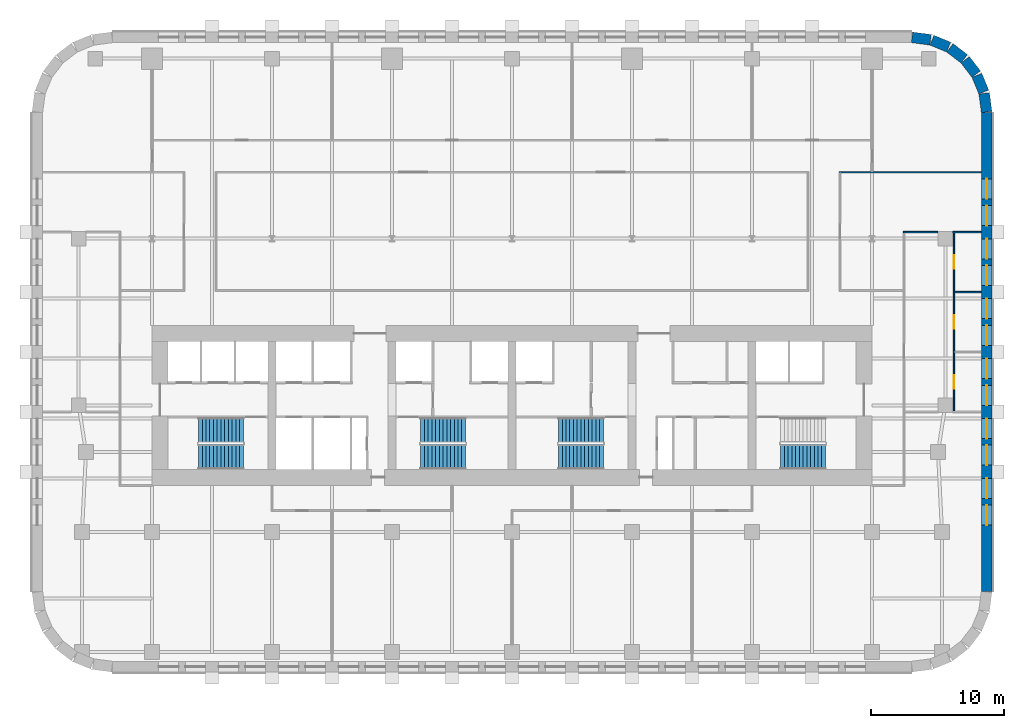
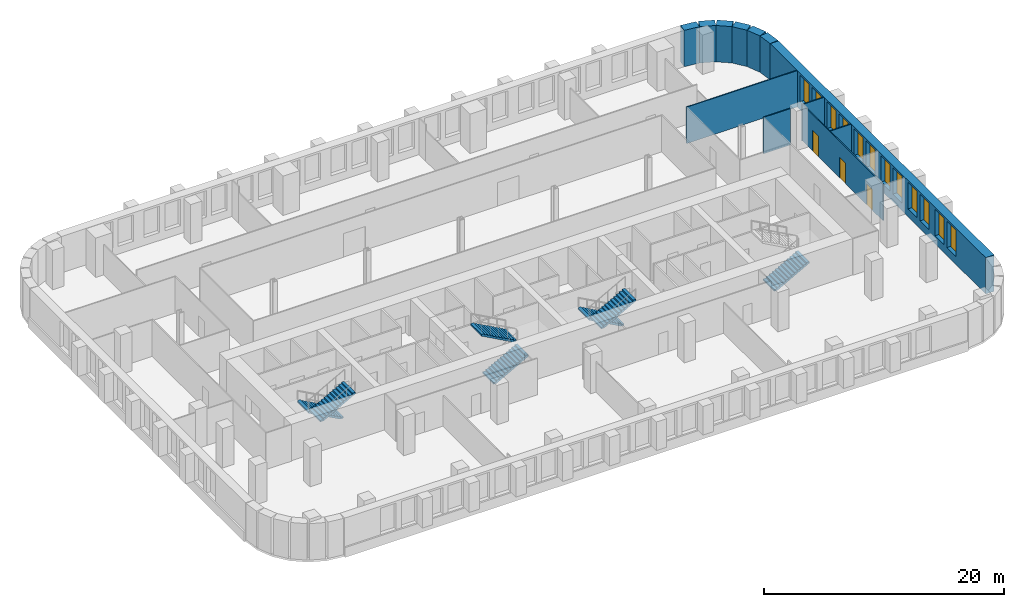
# One storey, part 9 of 12: 12 walls, 12 windows, 7 stair flights, 3 doors, 15 openings, 4 elements without a shape of their own.
"""IFC4 building model written with IfcOpenShell, lengths in metres."""

from ifc_helpers import new_model, si_unit, direction, frame, frame_2d, origin, place, context, subcontext, project, spatial, polyline, rectangle, outline, extrude, material, layer, layer_set, type_object, element, fill, aggregate, save


model = new_model("IFC4")

# Units and contexts
model_context = context("Model", 3, precision=1e-05, world=origin(), true_north=direction((0.0, 1.0)))
body_context = subcontext(model_context, "Body", "Model", "MODEL_VIEW")
ifc_project = project(units=[si_unit("LENGTHUNIT", "METRE"), si_unit("AREAUNIT", "SQUARE_METRE"), si_unit("VOLUMEUNIT", "CUBIC_METRE"), si_unit("PLANEANGLEUNIT", "RADIAN"), si_unit("MASSUNIT", "GRAM", prefix="KILO")], contexts=[model_context])

# Site, building, storey
site_placement = place(None, origin())
site = spatial("IfcSite", under=ifc_project, at=site_placement, CompositionType="ELEMENT")
building_placement = place(site_placement, origin())
building = spatial("IfcBuilding", under=site, at=building_placement, Name="Zellij Exchange Tower", CompositionType="ELEMENT")
storey_placement = place(building_placement, frame((0.0, 0.0, 96.5)))
storey = spatial("IfcBuildingStorey", under=building, at=storey_placement, Name="L20", CompositionType="ELEMENT", Elevation=96.5)

# Wall, openings, windows
ifc_material_1 = material(Name="Precast concrete C40/50", Category="concrete")
ifc_layer_1 = layer(ifc_material_1, 0.800048828125)
ifc_layer_set_1 = layer_set([ifc_layer_1], Name="Precast concrete C40/50")
wall_type_1 = type_object("IfcWallType", Name="ENV-EW1 Precast stone-piered wall 800", PredefinedType="SOLIDWALL", material=ifc_layer_set_1)
wall_1_placement = place(storey_placement, frame((35.60009765625, -21.947509765625, 0.0), z_axis=(0.0, 0.0, 1.0), x_axis=(0.0, 1.0, 0.0)))
wall_1 = element("IfcWall", 1, at=wall_1_placement, inside=storey, type_object=wall_type_1, Name="fac.L20.07", PredefinedType="SOLIDWALL", context=body_context, shape_type="SweptSolid", body=[
    extrude(rectangle(XDim=35.89501953125, YDim=0.800048828125, at=frame_2d((17.947509765625, 0.0))), origin(), (0.0, 0.0, 1.0), 3.699951171875),
])
opening_1_placement = place(wall_1_placement, frame((4.9638671875, 0.0, 0.800048828125)))
opening_1 = element("IfcOpeningElement", 2, at=opening_1_placement, cuts=wall_1, Name="Opening FZ1.25", PredefinedType="OPENING", context=body_context, shape_type="SweptSolid", body=[
    extrude(rectangle(XDim=1.5, YDim=2.699951171875, at=frame_2d((0.75, 1.35009765625))), frame((0.0, 0.412109375, 0.0), z_axis=(0.0, -1.0, 0.0), x_axis=(1.0, 0.0, 0.0)), (0.0, 0.0, 1.0), 0.823974609375),
])
opening_2_placement = place(wall_1_placement, frame((6.9638671875, 0.0, 0.800048828125)))
opening_2 = element("IfcOpeningElement", 3, at=opening_2_placement, cuts=wall_1, Name="Opening FZ1.26", PredefinedType="OPENING", context=body_context, shape_type="SweptSolid", body=[
    extrude(rectangle(XDim=1.5, YDim=2.699951171875, at=frame_2d((0.75, 1.35009765625))), frame((0.0, 0.412109375, 0.0), z_axis=(0.0, -1.0, 0.0), x_axis=(1.0, 0.0, 0.0)), (0.0, 0.0, 1.0), 0.823974609375),
])
opening_3_placement = place(wall_1_placement, frame((9.45751953125, 0.0, 0.800048828125)))
opening_3 = element("IfcOpeningElement", 4, at=opening_3_placement, cuts=wall_1, Name="Opening FZ1.27", PredefinedType="OPENING", context=body_context, shape_type="SweptSolid", body=[
    extrude(rectangle(XDim=1.5, YDim=2.699951171875, at=frame_2d((0.75, 1.35009765625))), frame((0.0, 0.412109375, 0.0), z_axis=(0.0, -1.0, 0.0), x_axis=(1.0, 0.0, 0.0)), (0.0, 0.0, 1.0), 0.823974609375),
])
opening_4_placement = place(wall_1_placement, frame((11.45751953125, 0.0, 0.800048828125)))
opening_4 = element("IfcOpeningElement", 5, at=opening_4_placement, cuts=wall_1, Name="Opening FZ1.28", PredefinedType="OPENING", context=body_context, shape_type="SweptSolid", body=[
    extrude(rectangle(XDim=1.5, YDim=2.699951171875, at=frame_2d((0.75, 1.35009765625))), frame((0.0, 0.412109375, 0.0), z_axis=(0.0, -1.0, 0.0), x_axis=(1.0, 0.0, 0.0)), (0.0, 0.0, 1.0), 0.823974609375),
])
opening_5_placement = place(wall_1_placement, frame((13.950927734375, 0.0, 0.800048828125)))
opening_5 = element("IfcOpeningElement", 6, at=opening_5_placement, cuts=wall_1, Name="Opening FZ1.29", PredefinedType="OPENING", context=body_context, shape_type="SweptSolid", body=[
    extrude(rectangle(XDim=1.5, YDim=2.699951171875, at=frame_2d((0.75, 1.35009765625))), frame((0.0, 0.412109375, 0.0), z_axis=(0.0, -1.0, 0.0), x_axis=(1.0, 0.0, 0.0)), (0.0, 0.0, 1.0), 0.823974609375),
])
opening_6_placement = place(wall_1_placement, frame((15.95068359375, 0.0, 0.800048828125)))
opening_6 = element("IfcOpeningElement", 7, at=opening_6_placement, cuts=wall_1, Name="Opening FZ1.30", PredefinedType="OPENING", context=body_context, shape_type="SweptSolid", body=[
    extrude(rectangle(XDim=1.5, YDim=2.699951171875, at=frame_2d((0.75, 1.35009765625))), frame((0.0, 0.412109375, 0.0), z_axis=(0.0, -1.0, 0.0), x_axis=(1.0, 0.0, 0.0)), (0.0, 0.0, 1.0), 0.823974609375),
])
opening_7_placement = place(wall_1_placement, frame((18.4443359375, 0.0, 0.800048828125)))
opening_7 = element("IfcOpeningElement", 8, at=opening_7_placement, cuts=wall_1, Name="Opening FZ1.31", PredefinedType="OPENING", context=body_context, shape_type="SweptSolid", body=[
    extrude(rectangle(XDim=1.5, YDim=2.699951171875, at=frame_2d((0.75, 1.35009765625))), frame((0.0, 0.412109375, 0.0), z_axis=(0.0, -1.0, 0.0), x_axis=(1.0, 0.0, 0.0)), (0.0, 0.0, 1.0), 0.823974609375),
])
opening_8_placement = place(wall_1_placement, frame((20.4443359375, 0.0, 0.800048828125)))
opening_8 = element("IfcOpeningElement", 9, at=opening_8_placement, cuts=wall_1, Name="Opening FZ1.32", PredefinedType="OPENING", context=body_context, shape_type="SweptSolid", body=[
    extrude(rectangle(XDim=1.5, YDim=2.699951171875, at=frame_2d((0.75, 1.35009765625))), frame((0.0, 0.412109375, 0.0), z_axis=(0.0, -1.0, 0.0), x_axis=(1.0, 0.0, 0.0)), (0.0, 0.0, 1.0), 0.823974609375),
])
opening_9_placement = place(wall_1_placement, frame((22.937744140625, 0.0, 0.800048828125)))
opening_9 = element("IfcOpeningElement", 10, at=opening_9_placement, cuts=wall_1, Name="Opening FZ1.33", PredefinedType="OPENING", context=body_context, shape_type="SweptSolid", body=[
    extrude(rectangle(XDim=1.5, YDim=2.699951171875, at=frame_2d((0.75, 1.35009765625))), frame((0.0, 0.412109375, 0.0), z_axis=(0.0, -1.0, 0.0), x_axis=(1.0, 0.0, 0.0)), (0.0, 0.0, 1.0), 0.823974609375),
])
opening_10_placement = place(wall_1_placement, frame((24.937744140625, 0.0, 0.800048828125)))
opening_10 = element("IfcOpeningElement", 11, at=opening_10_placement, cuts=wall_1, Name="Opening FZ1.34", PredefinedType="OPENING", context=body_context, shape_type="SweptSolid", body=[
    extrude(rectangle(XDim=1.5, YDim=2.699951171875, at=frame_2d((0.75, 1.35009765625))), frame((0.0, 0.412109375, 0.0), z_axis=(0.0, -1.0, 0.0), x_axis=(1.0, 0.0, 0.0)), (0.0, 0.0, 1.0), 0.823974609375),
])
opening_11_placement = place(wall_1_placement, frame((27.43115234375, 0.0, 0.800048828125)))
opening_11 = element("IfcOpeningElement", 12, at=opening_11_placement, cuts=wall_1, Name="Opening FZ1.35", PredefinedType="OPENING", context=body_context, shape_type="SweptSolid", body=[
    extrude(rectangle(XDim=1.5, YDim=2.699951171875, at=frame_2d((0.75, 1.35009765625))), frame((0.0, 0.412109375, 0.0), z_axis=(0.0, -1.0, 0.0), x_axis=(1.0, 0.0, 0.0)), (0.0, 0.0, 1.0), 0.823974609375),
])
opening_12_placement = place(wall_1_placement, frame((29.43115234375, 0.0, 0.800048828125)))
opening_12 = element("IfcOpeningElement", 13, at=opening_12_placement, cuts=wall_1, Name="Opening FZ1.36", PredefinedType="OPENING", context=body_context, shape_type="SweptSolid", body=[
    extrude(rectangle(XDim=1.5, YDim=2.699951171875, at=frame_2d((0.75, 1.35009765625))), frame((0.0, 0.412109375, 0.0), z_axis=(0.0, -1.0, 0.0), x_axis=(1.0, 0.0, 0.0)), (0.0, 0.0, 1.0), 0.823974609375),
])
ifc_material_2 = material(Name="Aluminium frame with insulating glass", Category="aluminium")
window_type = type_object("IfcWindowType", Name="ENV-W6 Window 1500x2700", PartitioningType="SINGLE_PANEL", PredefinedType="WINDOW", material=ifc_material_2)
window_1_placement = place(opening_1_placement, origin())
window_1 = element("IfcWindow", 14, at=window_1_placement, inside=storey, type_object=window_type, Name="Window FZ1.25", OverallHeight=2.699951171875, OverallWidth=1.5, PartitioningType="SINGLE_PANEL", PredefinedType="WINDOW", context=body_context, shape_type="SweptSolid", body=[
    extrude(rectangle(XDim=1.5, YDim=2.699951171875, at=frame_2d((0.75, 1.35009765625))), frame((0.0, 0.030029296875, 0.0), z_axis=(0.0, -1.0, 0.0), x_axis=(1.0, 0.0, 0.0)), (0.0, 0.0, 1.0), 0.06005859375),
])
fill(opening_1, window_1)
window_2_placement = place(opening_2_placement, origin())
window_2 = element("IfcWindow", 15, at=window_2_placement, inside=storey, type_object=window_type, Name="Window FZ1.26", OverallHeight=2.699951171875, OverallWidth=1.5, PartitioningType="SINGLE_PANEL", PredefinedType="WINDOW", context=body_context, shape_type="SweptSolid", body=[
    extrude(rectangle(XDim=1.5, YDim=2.699951171875, at=frame_2d((0.75, 1.35009765625))), frame((0.0, 0.030029296875, 0.0), z_axis=(0.0, -1.0, 0.0), x_axis=(1.0, 0.0, 0.0)), (0.0, 0.0, 1.0), 0.06005859375),
])
fill(opening_2, window_2)
window_3_placement = place(opening_3_placement, origin())
window_3 = element("IfcWindow", 16, at=window_3_placement, inside=storey, type_object=window_type, Name="Window FZ1.27", OverallHeight=2.699951171875, OverallWidth=1.5, PartitioningType="SINGLE_PANEL", PredefinedType="WINDOW", context=body_context, shape_type="SweptSolid", body=[
    extrude(rectangle(XDim=1.5, YDim=2.699951171875, at=frame_2d((0.75, 1.35009765625))), frame((0.0, 0.030029296875, 0.0), z_axis=(0.0, -1.0, 0.0), x_axis=(1.0, 0.0, 0.0)), (0.0, 0.0, 1.0), 0.06005859375),
])
fill(opening_3, window_3)
window_4_placement = place(opening_4_placement, origin())
window_4 = element("IfcWindow", 17, at=window_4_placement, inside=storey, type_object=window_type, Name="Window FZ1.28", OverallHeight=2.699951171875, OverallWidth=1.5, PartitioningType="SINGLE_PANEL", PredefinedType="WINDOW", context=body_context, shape_type="SweptSolid", body=[
    extrude(rectangle(XDim=1.5, YDim=2.699951171875, at=frame_2d((0.75, 1.35009765625))), frame((0.0, 0.030029296875, 0.0), z_axis=(0.0, -1.0, 0.0), x_axis=(1.0, 0.0, 0.0)), (0.0, 0.0, 1.0), 0.06005859375),
])
fill(opening_4, window_4)
window_5_placement = place(opening_5_placement, origin())
window_5 = element("IfcWindow", 18, at=window_5_placement, inside=storey, type_object=window_type, Name="Window FZ1.29", OverallHeight=2.699951171875, OverallWidth=1.5, PartitioningType="SINGLE_PANEL", PredefinedType="WINDOW", context=body_context, shape_type="SweptSolid", body=[
    extrude(rectangle(XDim=1.5, YDim=2.699951171875, at=frame_2d((0.75, 1.35009765625))), frame((0.0, 0.030029296875, 0.0), z_axis=(0.0, -1.0, 0.0), x_axis=(1.0, 0.0, 0.0)), (0.0, 0.0, 1.0), 0.06005859375),
])
fill(opening_5, window_5)
window_6_placement = place(opening_6_placement, origin())
window_6 = element("IfcWindow", 19, at=window_6_placement, inside=storey, type_object=window_type, Name="Window FZ1.30", OverallHeight=2.699951171875, OverallWidth=1.5, PartitioningType="SINGLE_PANEL", PredefinedType="WINDOW", context=body_context, shape_type="SweptSolid", body=[
    extrude(rectangle(XDim=1.5, YDim=2.699951171875, at=frame_2d((0.75, 1.35009765625))), frame((0.0, 0.030029296875, 0.0), z_axis=(0.0, -1.0, 0.0), x_axis=(1.0, 0.0, 0.0)), (0.0, 0.0, 1.0), 0.06005859375),
])
fill(opening_6, window_6)
window_7_placement = place(opening_7_placement, origin())
window_7 = element("IfcWindow", 20, at=window_7_placement, inside=storey, type_object=window_type, Name="Window FZ1.31", OverallHeight=2.699951171875, OverallWidth=1.5, PartitioningType="SINGLE_PANEL", PredefinedType="WINDOW", context=body_context, shape_type="SweptSolid", body=[
    extrude(rectangle(XDim=1.5, YDim=2.699951171875, at=frame_2d((0.75, 1.35009765625))), frame((0.0, 0.030029296875, 0.0), z_axis=(0.0, -1.0, 0.0), x_axis=(1.0, 0.0, 0.0)), (0.0, 0.0, 1.0), 0.06005859375),
])
fill(opening_7, window_7)
window_8_placement = place(opening_8_placement, origin())
window_8 = element("IfcWindow", 21, at=window_8_placement, inside=storey, type_object=window_type, Name="Window FZ1.32", OverallHeight=2.699951171875, OverallWidth=1.5, PartitioningType="SINGLE_PANEL", PredefinedType="WINDOW", context=body_context, shape_type="SweptSolid", body=[
    extrude(rectangle(XDim=1.5, YDim=2.699951171875, at=frame_2d((0.75, 1.35009765625))), frame((0.0, 0.030029296875, 0.0), z_axis=(0.0, -1.0, 0.0), x_axis=(1.0, 0.0, 0.0)), (0.0, 0.0, 1.0), 0.06005859375),
])
fill(opening_8, window_8)
window_9_placement = place(opening_9_placement, origin())
window_9 = element("IfcWindow", 22, at=window_9_placement, inside=storey, type_object=window_type, Name="Window FZ1.33", OverallHeight=2.699951171875, OverallWidth=1.5, PartitioningType="SINGLE_PANEL", PredefinedType="WINDOW", context=body_context, shape_type="SweptSolid", body=[
    extrude(rectangle(XDim=1.5, YDim=2.699951171875, at=frame_2d((0.75, 1.35009765625))), frame((0.0, 0.030029296875, 0.0), z_axis=(0.0, -1.0, 0.0), x_axis=(1.0, 0.0, 0.0)), (0.0, 0.0, 1.0), 0.06005859375),
])
fill(opening_9, window_9)
window_10_placement = place(opening_10_placement, origin())
window_10 = element("IfcWindow", 23, at=window_10_placement, inside=storey, type_object=window_type, Name="Window FZ1.34", OverallHeight=2.699951171875, OverallWidth=1.5, PartitioningType="SINGLE_PANEL", PredefinedType="WINDOW", context=body_context, shape_type="SweptSolid", body=[
    extrude(rectangle(XDim=1.5, YDim=2.699951171875, at=frame_2d((0.75, 1.35009765625))), frame((0.0, 0.030029296875, 0.0), z_axis=(0.0, -1.0, 0.0), x_axis=(1.0, 0.0, 0.0)), (0.0, 0.0, 1.0), 0.06005859375),
])
fill(opening_10, window_10)
window_11_placement = place(opening_11_placement, origin())
window_11 = element("IfcWindow", 24, at=window_11_placement, inside=storey, type_object=window_type, Name="Window FZ1.35", OverallHeight=2.699951171875, OverallWidth=1.5, PartitioningType="SINGLE_PANEL", PredefinedType="WINDOW", context=body_context, shape_type="SweptSolid", body=[
    extrude(rectangle(XDim=1.5, YDim=2.699951171875, at=frame_2d((0.75, 1.35009765625))), frame((0.0, 0.030029296875, 0.0), z_axis=(0.0, -1.0, 0.0), x_axis=(1.0, 0.0, 0.0)), (0.0, 0.0, 1.0), 0.06005859375),
])
fill(opening_11, window_11)
window_12_placement = place(opening_12_placement, origin())
window_12 = element("IfcWindow", 25, at=window_12_placement, inside=storey, type_object=window_type, Name="Window FZ1.36", OverallHeight=2.699951171875, OverallWidth=1.5, PartitioningType="SINGLE_PANEL", PredefinedType="WINDOW", context=body_context, shape_type="SweptSolid", body=[
    extrude(rectangle(XDim=1.5, YDim=2.699951171875, at=frame_2d((0.75, 1.35009765625))), frame((0.0, 0.030029296875, 0.0), z_axis=(0.0, -1.0, 0.0), x_axis=(1.0, 0.0, 0.0)), (0.0, 0.0, 1.0), 0.06005859375),
])
fill(opening_12, window_12)

# Walls
wall_2_placement = place(storey_placement, frame((35.5966796875, 13.999755859375, 0.0), z_axis=(0.0, 0.0, 1.0), x_axis=(-0.130517283865, 0.99144603414, 0.0)))
element("IfcWall", 26, at=wall_2_placement, inside=storey, type_object=wall_type_1, Name="fac.L20.08", PredefinedType="SOLIDWALL", context=body_context, shape_type="SweptSolid", body=[
    extrude(rectangle(XDim=1.408447265625, YDim=0.800048828125, at=frame_2d((0.7041015625, 0.0))), origin(), (0.0, 0.0, 1.0), 3.699951171875),
])
wall_3_placement = place(storey_placement, frame((35.3857421875, 15.497314453125, 0.0), z_axis=(0.0, 0.0, 1.0), x_axis=(-0.38276009378, 0.923847774587, 0.0)))
element("IfcWall", 27, at=wall_3_placement, inside=storey, type_object=wall_type_1, Name="fac.L20.09", PredefinedType="SOLIDWALL", context=body_context, shape_type="SweptSolid", body=[
    extrude(rectangle(XDim=1.35546875, YDim=0.800048828125, at=frame_2d((0.677734375, 0.0))), origin(), (0.0, 0.0, 1.0), 3.699951171875),
])
for number, where, z_axis, x_axis, name in (
    (28, (34.814697265625, 16.840087890625, 0.0), (0.0, 0.0, 1.0), (-0.608866226366, 0.793272915452, 0.0), "fac.L20.10"),
    (29, (33.91552734375, 17.9892578125, 0.0), (0.0, 0.0, 1.0), (-0.793272915452, 0.608866226366, 0.0), "fac.L20.11"),
):
    element("IfcWall", number, at=place(storey_placement, frame(where, z_axis=z_axis, x_axis=x_axis)), inside=storey, type_object=wall_type_1, Name=name, PredefinedType="SOLIDWALL", context=body_context, shape_type="SweptSolid", body=[
        extrude(rectangle(XDim=1.355712890625, YDim=0.800048828125, at=frame_2d((0.677734375, 0.0))), origin(), (0.0, 0.0, 1.0), 3.699951171875),
    ])
wall_4_placement = place(storey_placement, frame((32.74951171875, 18.866943359375, 0.0), z_axis=(0.0, 0.0, 1.0), x_axis=(-0.923847774587, 0.38276009378, 0.0)))
element("IfcWall", 30, at=wall_4_placement, inside=storey, type_object=wall_type_1, Name="fac.L20.12", PredefinedType="SOLIDWALL", context=body_context, shape_type="SweptSolid", body=[
    extrude(rectangle(XDim=1.35546875, YDim=0.800048828125, at=frame_2d((0.677734375, 0.0))), origin(), (0.0, 0.0, 1.0), 3.699951171875),
])
wall_5_placement = place(storey_placement, frame((31.396240234375, 19.412841796875, 0.0), z_axis=(0.0, 0.0, 1.0), x_axis=(-0.99144603414, 0.130517283865, 0.0)))
element("IfcWall", 31, at=wall_5_placement, inside=storey, type_object=wall_type_1, Name="fac.L20.13", PredefinedType="SOLIDWALL", context=body_context, shape_type="SweptSolid", body=[
    extrude(rectangle(XDim=1.408447265625, YDim=0.800048828125, at=frame_2d((0.7041015625, 0.0))), origin(), (0.0, 0.0, 1.0), 3.699951171875),
])

# Wall, openings, doors
ifc_material_3 = material(Name="Gypsum board partition on steel studs", Category="steel")
ifc_layer_2 = layer(ifc_material_3, 0.10009765625)
ifc_layer_set_2 = layer_set([ifc_layer_2], Name="Gypsum board partition on steel studs")
wall_type_2 = type_object("IfcWallType", Name="FIT-PARTITION-100", PredefinedType="PARTITIONING", material=ifc_layer_set_2)
wall_6_placement = place(storey_placement, frame((33.14990234375, -8.43994140625, 0.0), z_axis=(0.0, 0.0, 1.0), x_axis=(0.0, 1.0, 0.0)))
wall_6 = element("IfcWall", 32, at=wall_6_placement, inside=storey, type_object=wall_type_2, Name="FIT-PARTITION-100 021", PredefinedType="PARTITIONING", context=body_context, shape_type="SweptSolid", body=[
    extrude(rectangle(XDim=13.3798828125, YDim=0.10009765625, at=frame_2d((6.68994140625, 0.0))), origin(), (0.0, 0.0, 1.0), 3.699951171875),
])
opening_13_placement = place(wall_6_placement, frame((1.699951171875, 0.0, 0.0)))
opening_13 = element("IfcOpeningElement", 33, at=opening_13_placement, cuts=wall_6, Name="Opening TD.05", PredefinedType="OPENING", context=body_context, shape_type="SweptSolid", body=[
    extrude(rectangle(XDim=1.0, YDim=2.10009765625, at=frame_2d((0.5, 1.050048828125))), frame((0.0, 0.06201171875, 0.0), z_axis=(0.0, -1.0, 0.0), x_axis=(1.0, 0.0, 0.0)), (0.0, 0.0, 1.0), 0.1240234375),
])
opening_14_placement = place(wall_6_placement, frame((6.18994140625, 0.0, 0.0)))
opening_14 = element("IfcOpeningElement", 34, at=opening_14_placement, cuts=wall_6, Name="Opening TD.08", PredefinedType="OPENING", context=body_context, shape_type="SweptSolid", body=[
    extrude(rectangle(XDim=1.0, YDim=2.10009765625, at=frame_2d((0.5, 1.050048828125))), frame((0.0, 0.06201171875, 0.0), z_axis=(0.0, -1.0, 0.0), x_axis=(1.0, 0.0, 0.0)), (0.0, 0.0, 1.0), 0.1240234375),
])
opening_15_placement = place(wall_6_placement, frame((10.679931640625, 0.0, 0.0)))
opening_15 = element("IfcOpeningElement", 35, at=opening_15_placement, cuts=wall_6, Name="Opening TD.09", PredefinedType="OPENING", context=body_context, shape_type="SweptSolid", body=[
    extrude(rectangle(XDim=1.0, YDim=2.10009765625, at=frame_2d((0.5, 1.050048828125))), frame((0.0, 0.06201171875, 0.0), z_axis=(0.0, -1.0, 0.0), x_axis=(1.0, 0.0, 0.0)), (0.0, 0.0, 1.0), 0.1240234375),
])
ifc_material_4 = material(Name="Timber door set", Category="wood")
door_type = type_object("IfcDoorType", Name="FIT-D2-WIDE-1000X2100", OperationType="SINGLE_SWING_LEFT", PredefinedType="DOOR", material=ifc_material_4)
door_1_placement = place(opening_13_placement, origin())
door_1 = element("IfcDoor", 36, at=door_1_placement, inside=storey, type_object=door_type, Name="Door TD.05", OperationType="SINGLE_SWING_RIGHT", OverallHeight=2.10009765625, OverallWidth=1.0, PredefinedType="DOOR", context=body_context, shape_type="SweptSolid", body=[
    extrude(rectangle(XDim=1.0, YDim=2.10009765625, at=frame_2d((0.5, 1.050048828125))), frame((0.0, 0.02490234375, 0.0), z_axis=(0.0, -1.0, 0.0), x_axis=(1.0, 0.0, 0.0)), (0.0, 0.0, 1.0), 0.050048828125),
])
fill(opening_13, door_1)
door_2_placement = place(opening_14_placement, origin())
door_2 = element("IfcDoor", 37, at=door_2_placement, inside=storey, type_object=door_type, Name="Door TD.08", OperationType="SINGLE_SWING_RIGHT", OverallHeight=2.10009765625, OverallWidth=1.0, PredefinedType="DOOR", context=body_context, shape_type="SweptSolid", body=[
    extrude(rectangle(XDim=1.0, YDim=2.10009765625, at=frame_2d((0.5, 1.050048828125))), frame((0.0, 0.02490234375, 0.0), z_axis=(0.0, -1.0, 0.0), x_axis=(1.0, 0.0, 0.0)), (0.0, 0.0, 1.0), 0.050048828125),
])
fill(opening_14, door_2)
door_3_placement = place(opening_15_placement, origin())
door_3 = element("IfcDoor", 38, at=door_3_placement, inside=storey, type_object=door_type, Name="Door TD.09", OperationType="SINGLE_SWING_LEFT", OverallHeight=2.10009765625, OverallWidth=1.0, PredefinedType="DOOR", context=body_context, shape_type="SweptSolid", body=[
    extrude(rectangle(XDim=1.0, YDim=2.10009765625, at=frame_2d((0.5, 1.050048828125))), frame((0.0, 0.02490234375, 0.0), z_axis=(0.0, -1.0, 0.0), x_axis=(1.0, 0.0, 0.0)), (0.0, 0.0, 1.0), 0.050048828125),
])
fill(opening_15, door_3)

# Walls
wall_7_placement = place(storey_placement, frame((33.199951171875, 0.489990234375, 0.0), z_axis=(0.0, 0.0, 1.0), x_axis=(1.0, 0.0, 0.0)))
element("IfcWall", 39, at=wall_7_placement, inside=storey, type_object=wall_type_2, Name="FIT-PARTITION-100 023", PredefinedType="PARTITIONING", context=body_context, shape_type="SweptSolid", body=[
    extrude(rectangle(XDim=2.0, YDim=0.10009765625, at=frame_2d((1.0, 0.0))), origin(), (0.0, 0.0, 1.0), 3.699951171875),
])
wall_8_placement = place(storey_placement, frame((29.35009765625, 4.989990234375, 0.0), z_axis=(0.0, 0.0, 1.0), x_axis=(1.0, 0.0, 0.0)))
element("IfcWall", 40, at=wall_8_placement, inside=storey, type_object=wall_type_2, Name="FIT-PARTITION-100 033", PredefinedType="PARTITIONING", context=body_context, shape_type="SweptSolid", body=[
    extrude(rectangle(XDim=2.599853515625, YDim=0.10009765625, at=frame_2d((1.2998046875, 0.0))), origin(), (0.0, 0.0, 1.0), 3.699951171875),
])
wall_9_placement = place(storey_placement, frame((33.050048828125, 4.989990234375, 0.0), z_axis=(0.0, 0.0, 1.0), x_axis=(1.0, 0.0, 0.0)))
element("IfcWall", 41, at=wall_9_placement, inside=storey, type_object=wall_type_2, Name="FIT-PARTITION-100 034", PredefinedType="PARTITIONING", context=body_context, shape_type="SweptSolid", body=[
    extrude(rectangle(XDim=2.14990234375, YDim=0.10009765625, at=frame_2d((1.074951171875, 0.0))), origin(), (0.0, 0.0, 1.0), 3.699951171875),
])
wall_10_placement = place(storey_placement, frame((24.550048828125, 9.47998046875, 0.0), z_axis=(0.0, 0.0, 1.0), x_axis=(1.0, 0.0, 0.0)))
element("IfcWall", 42, at=wall_10_placement, inside=storey, type_object=wall_type_2, Name="FIT-PARTITION-100 038", PredefinedType="PARTITIONING", context=body_context, shape_type="SweptSolid", body=[
    extrude(rectangle(XDim=10.64990234375, YDim=0.10009765625, at=frame_2d((5.324951171875, 0.0))), origin(), (0.0, 0.0, 1.0), 3.699951171875),
])

# Stair, stair flights
ifc_material_5 = material(Name="Concrete C40/50", Category="concrete")
stair_type = type_object("IfcStairType", Name="CORE-ST exit stair 1850 wide", PredefinedType="HALF_TURN_STAIR", material=ifc_material_5)
stair_1_placement = place(storey_placement, origin())
stair_1 = element("IfcStair", 43, at=stair_1_placement, inside=storey, type_object=stair_type, Name="L20 exit stair ST1", PredefinedType="HALF_TURN_STAIR")
stair_flight_type = type_object("IfcStairFlightType", Name="CORE-SF flight 1850 riser 153.8 going 280", PredefinedType="STRAIGHT", material=ifc_material_5)
stair_flight_1_placement = place(storey_placement, frame((-20.14990234375, -9.875, 0.0), z_axis=(0.0, 0.0, 1.0), x_axis=(-1.0, 0.0, 0.0)))
stair_flight_1 = element("IfcStairFlight", 44, at=stair_flight_1_placement, type_object=stair_flight_type, Name="ST1 flight 1", NumberOfRisers=13, NumberOfTreads=12, PredefinedType="STRAIGHT", RiserHeight=0.153846154, TreadLength=0.28, context=body_context, shape_type="SweptSolid", body=[
    extrude(outline(polyline([(0.0, 0.0), (0.0, 0.15380859375), (0.280029296875, 0.15380859375), (0.280029296875, 0.3076171875), (0.56005859375, 0.3076171875), (0.56005859375, 0.46142578125), (0.840087890625, 0.46142578125), (0.840087890625, 0.615478515625), (1.1201171875, 0.615478515625), (1.1201171875, 0.769287109375), (1.39990234375, 0.769287109375), (1.39990234375, 0.923095703125), (1.679931640625, 0.923095703125), (1.679931640625, 1.076904296875), (1.9599609375, 1.076904296875), (1.9599609375, 1.230712890625), (2.239990234375, 1.230712890625), (2.239990234375, 1.384521484375), (2.52001953125, 1.384521484375), (2.52001953125, 1.53857421875), (2.800048828125, 1.53857421875), (2.800048828125, 1.6923828125), (3.080078125, 1.6923828125), (3.080078125, 1.84619140625), (3.360107421875, 1.84619140625), (3.360107421875, 2.0), (3.360107421875, 1.675048828125), (0.311279296875, 0.0), (0.0, 0.0)])), frame((0.0, 0.925048828125, 0.0), z_axis=(0.0, -1.0, 0.0), x_axis=(1.0, 0.0, 0.0)), (0.0, 0.0, 1.0), 1.85009765625),
])
stair_flight_2_placement = place(storey_placement, frame((-23.510009765625, -11.875, 2.0), z_axis=(0.0, 0.0, 1.0), x_axis=(1.0, 0.0, 0.0)))
stair_flight_2 = element("IfcStairFlight", 45, at=stair_flight_2_placement, type_object=stair_flight_type, Name="ST1 flight 2", NumberOfRisers=13, NumberOfTreads=12, PredefinedType="STRAIGHT", RiserHeight=0.153846154, TreadLength=0.28, context=body_context, shape_type="SweptSolid", body=[
    extrude(outline(polyline([(0.0, 0.0), (0.0, 0.15380859375), (0.280029296875, 0.15380859375), (0.280029296875, 0.3076171875), (0.56005859375, 0.3076171875), (0.56005859375, 0.46142578125), (0.840087890625, 0.46142578125), (0.840087890625, 0.615478515625), (1.1201171875, 0.615478515625), (1.1201171875, 0.769287109375), (1.39990234375, 0.769287109375), (1.39990234375, 0.923095703125), (1.679931640625, 0.923095703125), (1.679931640625, 1.076904296875), (1.9599609375, 1.076904296875), (1.9599609375, 1.230712890625), (2.239990234375, 1.230712890625), (2.239990234375, 1.384521484375), (2.52001953125, 1.384521484375), (2.52001953125, 1.53857421875), (2.800048828125, 1.53857421875), (2.800048828125, 1.6923828125), (3.080078125, 1.6923828125), (3.080078125, 1.84619140625), (3.360107421875, 1.84619140625), (3.360107421875, 2.0), (3.360107421875, 1.675048828125), (0.311279296875, 0.0), (0.0, 0.0)])), frame((0.0, 0.925048828125, 0.0), z_axis=(0.0, -1.0, 0.0), x_axis=(1.0, 0.0, 0.0)), (0.0, 0.0, 1.0), 1.85009765625),
])
aggregate(stair_1, [stair_flight_1, stair_flight_2])

stair_2_placement = place(storey_placement, origin())
stair_2 = element("IfcStair", 46, at=stair_2_placement, inside=storey, type_object=stair_type, Name="L20 exit stair ST2", PredefinedType="HALF_TURN_STAIR")
stair_flight_3_placement = place(storey_placement, frame((-6.85009765625, -11.875, 0.0), z_axis=(0.0, 0.0, 1.0), x_axis=(1.0, 0.0, 0.0)))
stair_flight_3 = element("IfcStairFlight", 47, at=stair_flight_3_placement, type_object=stair_flight_type, Name="ST2 flight 1", NumberOfRisers=13, NumberOfTreads=12, PredefinedType="STRAIGHT", RiserHeight=0.153846154, TreadLength=0.28, context=body_context, shape_type="SweptSolid", body=[
    extrude(outline(polyline([(0.0, 0.0), (0.0, 0.15380859375), (0.280029296875, 0.15380859375), (0.280029296875, 0.3076171875), (0.56005859375, 0.3076171875), (0.56005859375, 0.46142578125), (0.840087890625, 0.46142578125), (0.840087890625, 0.615478515625), (1.1201171875, 0.615478515625), (1.1201171875, 0.769287109375), (1.39990234375, 0.769287109375), (1.39990234375, 0.923095703125), (1.679931640625, 0.923095703125), (1.679931640625, 1.076904296875), (1.9599609375, 1.076904296875), (1.9599609375, 1.230712890625), (2.239990234375, 1.230712890625), (2.239990234375, 1.384521484375), (2.52001953125, 1.384521484375), (2.52001953125, 1.53857421875), (2.800048828125, 1.53857421875), (2.800048828125, 1.6923828125), (3.080078125, 1.6923828125), (3.080078125, 1.84619140625), (3.360107421875, 1.84619140625), (3.360107421875, 2.0), (3.360107421875, 1.675048828125), (0.311279296875, 0.0), (0.0, 0.0)])), frame((0.0, 0.925048828125, 0.0), z_axis=(0.0, -1.0, 0.0), x_axis=(1.0, 0.0, 0.0)), (0.0, 0.0, 1.0), 1.85009765625),
])
stair_flight_4_placement = place(storey_placement, frame((-3.489990234375, -9.875, 2.0), z_axis=(0.0, 0.0, 1.0), x_axis=(-1.0, 0.0, 0.0)))
stair_flight_4 = element("IfcStairFlight", 48, at=stair_flight_4_placement, type_object=stair_flight_type, Name="ST2 flight 2", NumberOfRisers=13, NumberOfTreads=12, PredefinedType="STRAIGHT", RiserHeight=0.153846154, TreadLength=0.28, context=body_context, shape_type="SweptSolid", body=[
    extrude(outline(polyline([(0.0, 0.0), (0.0, 0.15380859375), (0.280029296875, 0.15380859375), (0.280029296875, 0.3076171875), (0.56005859375, 0.3076171875), (0.56005859375, 0.46142578125), (0.840087890625, 0.46142578125), (0.840087890625, 0.615478515625), (1.1201171875, 0.615478515625), (1.1201171875, 0.769287109375), (1.39990234375, 0.769287109375), (1.39990234375, 0.923095703125), (1.679931640625, 0.923095703125), (1.679931640625, 1.076904296875), (1.9599609375, 1.076904296875), (1.9599609375, 1.230712890625), (2.239990234375, 1.230712890625), (2.239990234375, 1.384521484375), (2.52001953125, 1.384521484375), (2.52001953125, 1.53857421875), (2.800048828125, 1.53857421875), (2.800048828125, 1.6923828125), (3.080078125, 1.6923828125), (3.080078125, 1.84619140625), (3.360107421875, 1.84619140625), (3.360107421875, 2.0), (3.360107421875, 1.675048828125), (0.311279296875, 0.0), (0.0, 0.0)])), frame((0.0, 0.925048828125, 0.0), z_axis=(0.0, -1.0, 0.0), x_axis=(1.0, 0.0, 0.0)), (0.0, 0.0, 1.0), 1.85009765625),
])
aggregate(stair_2, [stair_flight_3, stair_flight_4])

stair_3_placement = place(storey_placement, origin())
stair_3 = element("IfcStair", 49, at=stair_3_placement, inside=storey, type_object=stair_type, Name="L20 exit stair ST3", PredefinedType="HALF_TURN_STAIR")
stair_flight_5_placement = place(storey_placement, frame((6.85009765625, -9.875, 0.0), z_axis=(0.0, 0.0, 1.0), x_axis=(-1.0, 0.0, 0.0)))
stair_flight_5 = element("IfcStairFlight", 50, at=stair_flight_5_placement, type_object=stair_flight_type, Name="ST3 flight 1", NumberOfRisers=13, NumberOfTreads=12, PredefinedType="STRAIGHT", RiserHeight=0.153846154, TreadLength=0.28, context=body_context, shape_type="SweptSolid", body=[
    extrude(outline(polyline([(0.0, 0.0), (0.0, 0.15380859375), (0.280029296875, 0.15380859375), (0.280029296875, 0.3076171875), (0.56005859375, 0.3076171875), (0.56005859375, 0.46142578125), (0.840087890625, 0.46142578125), (0.840087890625, 0.615478515625), (1.1201171875, 0.615478515625), (1.1201171875, 0.769287109375), (1.39990234375, 0.769287109375), (1.39990234375, 0.923095703125), (1.679931640625, 0.923095703125), (1.679931640625, 1.076904296875), (1.9599609375, 1.076904296875), (1.9599609375, 1.230712890625), (2.239990234375, 1.230712890625), (2.239990234375, 1.384521484375), (2.52001953125, 1.384521484375), (2.52001953125, 1.53857421875), (2.800048828125, 1.53857421875), (2.800048828125, 1.6923828125), (3.080078125, 1.6923828125), (3.080078125, 1.84619140625), (3.360107421875, 1.84619140625), (3.360107421875, 2.0), (3.360107421875, 1.675048828125), (0.311279296875, 0.0), (0.0, 0.0)])), frame((0.0, 0.925048828125, 0.0), z_axis=(0.0, -1.0, 0.0), x_axis=(1.0, 0.0, 0.0)), (0.0, 0.0, 1.0), 1.85009765625),
])
stair_flight_6_placement = place(storey_placement, frame((3.489990234375, -11.875, 2.0), z_axis=(0.0, 0.0, 1.0), x_axis=(1.0, 0.0, 0.0)))
stair_flight_6 = element("IfcStairFlight", 51, at=stair_flight_6_placement, type_object=stair_flight_type, Name="ST3 flight 2", NumberOfRisers=13, NumberOfTreads=12, PredefinedType="STRAIGHT", RiserHeight=0.153846154, TreadLength=0.28, context=body_context, shape_type="SweptSolid", body=[
    extrude(outline(polyline([(0.0, 0.0), (0.0, 0.15380859375), (0.280029296875, 0.15380859375), (0.280029296875, 0.3076171875), (0.56005859375, 0.3076171875), (0.56005859375, 0.46142578125), (0.840087890625, 0.46142578125), (0.840087890625, 0.615478515625), (1.1201171875, 0.615478515625), (1.1201171875, 0.769287109375), (1.39990234375, 0.769287109375), (1.39990234375, 0.923095703125), (1.679931640625, 0.923095703125), (1.679931640625, 1.076904296875), (1.9599609375, 1.076904296875), (1.9599609375, 1.230712890625), (2.239990234375, 1.230712890625), (2.239990234375, 1.384521484375), (2.52001953125, 1.384521484375), (2.52001953125, 1.53857421875), (2.800048828125, 1.53857421875), (2.800048828125, 1.6923828125), (3.080078125, 1.6923828125), (3.080078125, 1.84619140625), (3.360107421875, 1.84619140625), (3.360107421875, 2.0), (3.360107421875, 1.675048828125), (0.311279296875, 0.0), (0.0, 0.0)])), frame((0.0, 0.925048828125, 0.0), z_axis=(0.0, -1.0, 0.0), x_axis=(1.0, 0.0, 0.0)), (0.0, 0.0, 1.0), 1.85009765625),
])
aggregate(stair_3, [stair_flight_5, stair_flight_6])

# Stair, stair flight
stair_4_placement = place(storey_placement, origin())
stair_4 = element("IfcStair", 52, at=stair_4_placement, inside=storey, type_object=stair_type, Name="L20 exit stair ST4", PredefinedType="HALF_TURN_STAIR")
stair_flight_7_placement = place(storey_placement, frame((20.14990234375, -11.875, 0.0), z_axis=(0.0, 0.0, 1.0), x_axis=(1.0, 0.0, 0.0)))
stair_flight_7 = element("IfcStairFlight", 53, at=stair_flight_7_placement, type_object=stair_flight_type, Name="ST4 flight 1", NumberOfRisers=13, NumberOfTreads=12, PredefinedType="STRAIGHT", RiserHeight=0.153846154, TreadLength=0.28, context=body_context, shape_type="SweptSolid", body=[
    extrude(outline(polyline([(0.0, 0.0), (0.0, 0.15380859375), (0.280029296875, 0.15380859375), (0.280029296875, 0.3076171875), (0.56005859375, 0.3076171875), (0.56005859375, 0.46142578125), (0.840087890625, 0.46142578125), (0.840087890625, 0.615478515625), (1.1201171875, 0.615478515625), (1.1201171875, 0.769287109375), (1.39990234375, 0.769287109375), (1.39990234375, 0.923095703125), (1.679931640625, 0.923095703125), (1.679931640625, 1.076904296875), (1.9599609375, 1.076904296875), (1.9599609375, 1.230712890625), (2.239990234375, 1.230712890625), (2.239990234375, 1.384521484375), (2.52001953125, 1.384521484375), (2.52001953125, 1.53857421875), (2.800048828125, 1.53857421875), (2.800048828125, 1.6923828125), (3.080078125, 1.6923828125), (3.080078125, 1.84619140625), (3.360107421875, 1.84619140625), (3.360107421875, 2.0), (3.360107421875, 1.675048828125), (0.311279296875, 0.0), (0.0, 0.0)])), frame((0.0, 0.925048828125, 0.0), z_axis=(0.0, -1.0, 0.0), x_axis=(1.0, 0.0, 0.0)), (0.0, 0.0, 1.0), 1.85009765625),
])
aggregate(stair_4, [stair_flight_7])

save(model, "model.ifc")
